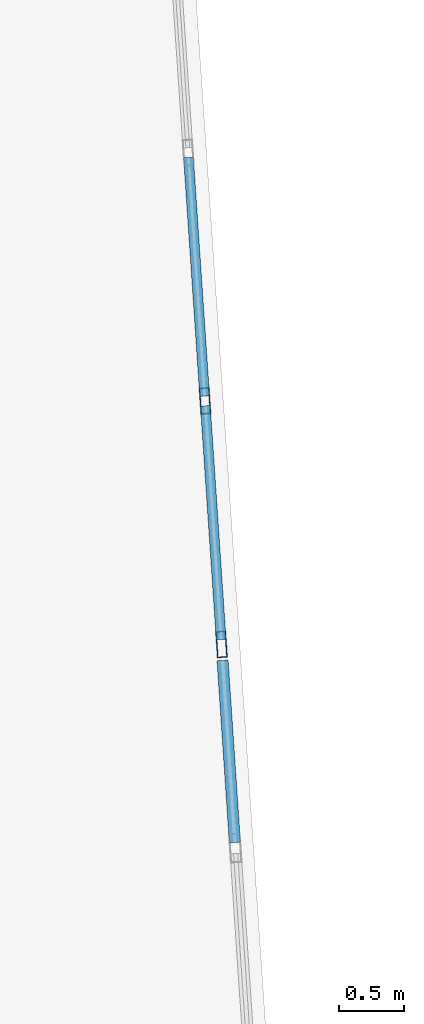
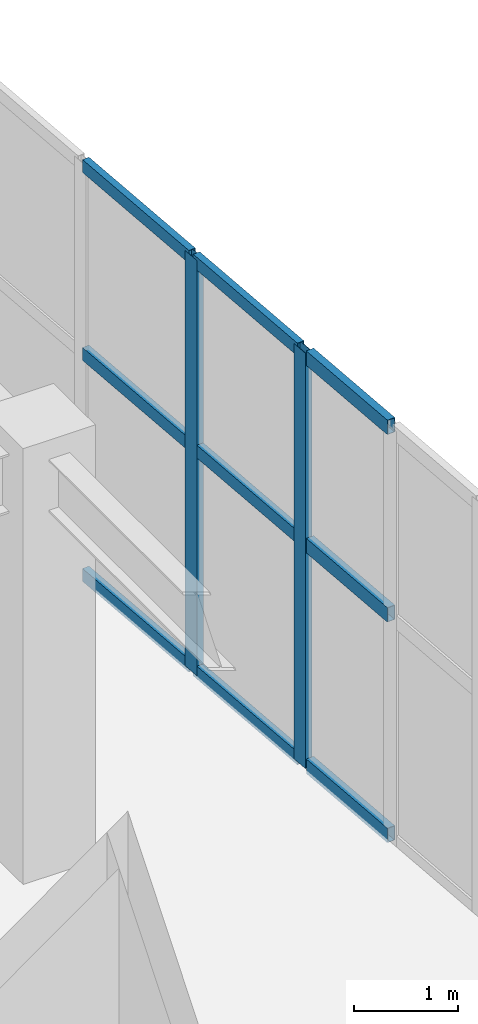
# One storey, part 20 of 128: 11 members, 2 elements without a shape of their own.
"""IFC4 building model written with IfcOpenShell, lengths in metres."""

from ifc_helpers import new_model, si_unit, direction, frame, origin, origin_2d, place, context, subcontext, project, spatial, hollow_rectangle, extrude, material, layer, layer_set, material_profile, profile_set, type_object, element, aggregate, save


model = new_model("IFC4")

# Units and contexts
model_context = context("Model", 3, precision=1e-05, world=origin(), true_north=direction((0.0, 1.0)))
body_context = subcontext(model_context, "Body", "Model", "MODEL_VIEW")
ifc_project = project(units=[si_unit("LENGTHUNIT", "METRE"), si_unit("AREAUNIT", "SQUARE_METRE"), si_unit("VOLUMEUNIT", "CUBIC_METRE"), si_unit("PLANEANGLEUNIT", "RADIAN"), si_unit("MASSUNIT", "GRAM", prefix="KILO")], contexts=[model_context])

# Site, building, storey
site_placement = place(None, origin())
site = spatial("IfcSite", under=ifc_project, at=site_placement, CompositionType="ELEMENT")
building_placement = place(site_placement, origin())
building = spatial("IfcBuilding", under=site, at=building_placement, Name="Xicomal Pleat Aquarium", CompositionType="ELEMENT")
storey_placement = place(building_placement, frame((0.0, 0.0, 5.39990234375)))
storey = spatial("IfcBuildingStorey", under=building, at=storey_placement, Name="L02", CompositionType="ELEMENT", Elevation=5.39990234375)

# Curtain wall, members
ifc_material_1 = material(Name="Bronze anodized aluminium 6063-T6", Category="aluminium")
ifc_layer_1 = layer(ifc_material_1, 0.159912109375)
ifc_layer_set_1 = layer_set([ifc_layer_1], Name="Bronze anodized aluminium 6063-T6")
curtain_wall_type_1 = type_object("IfcCurtainWallType", Name="CW-SYS-07", PredefinedType="NOTDEFINED", material=ifc_layer_set_1)
curtain_wall_1_placement = place(storey_placement, origin())
curtain_wall_1 = element("IfcCurtainWall", 1, at=curtain_wall_1_placement, inside=storey, type_object=curtain_wall_type_1, Name="L02 unitised curtain wall CW-L02-136", PredefinedType="NOTDEFINED")
ifc_material_2 = material(Name="Bronze anodized aluminium 6063-T6", Category="aluminium")
ifc_material_profile_1 = material_profile(ifc_material_2, hollow_rectangle(XDim=0.074951171875, YDim=0.199951171875, WallThickness=0.00439453125, at=origin_2d()), Name="ALU MULL 75x200")
ifc_profile_set_1 = profile_set([ifc_material_profile_1], Name="Bronze anodized aluminium 6063-T6")
member_type_1 = type_object("IfcMemberType", Name="CWM-75x200", PredefinedType="MULLION", material=ifc_profile_set_1)
member_1_placement = place(storey_placement, frame((29.8173828125, 47.490966796875, 0.0), z_axis=(0.0, 0.0, 1.0), x_axis=(0.997711953973, 0.067608112673, 0.0)))
member_1 = element("IfcMember", 2, at=member_1_placement, type_object=member_type_1, Name="CW-07 mullion 4", PredefinedType="MULLION", context=body_context, shape_type="SweptSolid", body=[
    extrude(hollow_rectangle(XDim=0.074951171875, YDim=0.199951171875, WallThickness=0.00439453125, at=origin_2d()), origin(), (0.0, 0.0, 1.0), 4.860107421875),
])
member_2_placement = place(storey_placement, frame((29.943603515625, 45.62841796875, 0.0), z_axis=(0.0, 0.0, 1.0), x_axis=(0.997711953973, 0.067608112673, 0.0)))
member_2 = element("IfcMember", 3, at=member_2_placement, type_object=member_type_1, Name="CW-07 mullion 5", PredefinedType="MULLION", context=body_context, shape_type="SweptSolid", body=[
    extrude(hollow_rectangle(XDim=0.074951171875, YDim=0.199951171875, WallThickness=0.00439453125, at=origin_2d()), origin(), (0.0, 0.0, 1.0), 4.860107421875),
])
ifc_material_3 = material(Name="Bronze anodized aluminium 6063-T6", Category="aluminium")
ifc_material_profile_2 = material_profile(ifc_material_3, hollow_rectangle(XDim=0.074951171875, YDim=0.14990234375, WallThickness=0.00439453125, at=origin_2d()), Name="ALU TRAN 75x150")
ifc_profile_set_2 = profile_set([ifc_material_profile_2], Name="Bronze anodized aluminium 6063-T6")
member_type_2 = type_object("IfcMemberType", Name="CWT-75x150", PredefinedType="USERDEFINED", material=ifc_profile_set_2)
member_3_placement = place(storey_placement, frame((29.69091796875, 49.353515625, 0.03759765625), z_axis=(0.067661600097, -0.997708328056, 0.0), x_axis=(0.997708328056, 0.067661600097, 0.0)))
member_3 = element("IfcMember", 4, at=member_3_placement, type_object=member_type_2, Name="CW-07 transom 3.1", ObjectType="TRANSOM", PredefinedType="USERDEFINED", context=body_context, shape_type="SweptSolid", body=[
    extrude(hollow_rectangle(XDim=0.074951171875, YDim=0.14990234375, WallThickness=0.00439453125, at=origin_2d()), origin(), (0.0, 0.0, 1.0), 1.829345703125),
])
member_4_placement = place(storey_placement, frame((29.69091796875, 49.353515625, 2.6240234375), z_axis=(0.067661600097, -0.997708328056, 0.0), x_axis=(0.997708328056, 0.067661600097, 0.0)))
member_4 = element("IfcMember", 5, at=member_4_placement, type_object=member_type_2, Name="CW-07 transom 3.2", ObjectType="TRANSOM", PredefinedType="USERDEFINED", context=body_context, shape_type="SweptSolid", body=[
    extrude(hollow_rectangle(XDim=0.074951171875, YDim=0.14990234375, WallThickness=0.00439453125, at=origin_2d()), origin(), (0.0, 0.0, 1.0), 1.829345703125),
])
member_5_placement = place(storey_placement, frame((29.69091796875, 49.353515625, 4.822509765625), z_axis=(0.067661600097, -0.997708328056, 0.0), x_axis=(0.997708328056, 0.067661600097, 0.0)))
member_5 = element("IfcMember", 6, at=member_5_placement, type_object=member_type_2, Name="CW-07 transom 3.3", ObjectType="TRANSOM", PredefinedType="USERDEFINED", context=body_context, shape_type="SweptSolid", body=[
    extrude(hollow_rectangle(XDim=0.074951171875, YDim=0.14990234375, WallThickness=0.00439453125, at=origin_2d()), origin(), (0.0, 0.0, 1.0), 1.829345703125),
])
member_6_placement = place(storey_placement, frame((29.81982421875, 47.45361328125, 0.03759765625), z_axis=(0.067576973309, -0.997714063587, 0.0), x_axis=(0.997714063587, 0.067576973309, 0.0)))
member_6 = element("IfcMember", 7, at=member_6_placement, type_object=member_type_2, Name="CW-07 transom 4.1", ObjectType="TRANSOM", PredefinedType="USERDEFINED", context=body_context, shape_type="SweptSolid", body=[
    extrude(hollow_rectangle(XDim=0.074951171875, YDim=0.14990234375, WallThickness=0.00439453125, at=origin_2d()), origin(), (0.0, 0.0, 1.0), 1.7919921875),
])
member_7_placement = place(storey_placement, frame((29.81982421875, 47.45361328125, 2.6240234375), z_axis=(0.067576973309, -0.997714063587, 0.0), x_axis=(0.997714063587, 0.067576973309, 0.0)))
member_7 = element("IfcMember", 8, at=member_7_placement, type_object=member_type_2, Name="CW-07 transom 4.2", ObjectType="TRANSOM", PredefinedType="USERDEFINED", context=body_context, shape_type="SweptSolid", body=[
    extrude(hollow_rectangle(XDim=0.074951171875, YDim=0.14990234375, WallThickness=0.00439453125, at=origin_2d()), origin(), (0.0, 0.0, 1.0), 1.7919921875),
])
member_8_placement = place(storey_placement, frame((29.81982421875, 47.45361328125, 4.822509765625), z_axis=(0.067576973309, -0.997714063587, 0.0), x_axis=(0.997714063587, 0.067576973309, 0.0)))
member_8 = element("IfcMember", 9, at=member_8_placement, type_object=member_type_2, Name="CW-07 transom 4.3", ObjectType="TRANSOM", PredefinedType="USERDEFINED", context=body_context, shape_type="SweptSolid", body=[
    extrude(hollow_rectangle(XDim=0.074951171875, YDim=0.14990234375, WallThickness=0.00439453125, at=origin_2d()), origin(), (0.0, 0.0, 1.0), 1.7919921875),
])
aggregate(curtain_wall_1, [member_1, member_2, member_3, member_4, member_5, member_6, member_7, member_8])

ifc_material_4 = material(Name="Bronze anodized aluminium 6063-T6", Category="aluminium")
ifc_layer_2 = layer(ifc_material_4, 0.159912109375)
ifc_layer_set_2 = layer_set([ifc_layer_2], Name="Bronze anodized aluminium 6063-T6")
curtain_wall_type_2 = type_object("IfcCurtainWallType", Name="CW-SYS-12", PredefinedType="NOTDEFINED", material=ifc_layer_set_2)
curtain_wall_2_placement = place(storey_placement, origin())
curtain_wall_2 = element("IfcCurtainWall", 10, at=curtain_wall_2_placement, inside=storey, type_object=curtain_wall_type_2, Name="L02 unitised curtain wall CW-L02-137", PredefinedType="NOTDEFINED")
ifc_material_5 = material(Name="Bronze anodized aluminium 6063-T6", Category="aluminium")
ifc_material_profile_3 = material_profile(ifc_material_5, hollow_rectangle(XDim=0.0849609375, YDim=0.169921875, WallThickness=0.0048828125, at=origin_2d()), Name="ALU TRAN 85x170")
ifc_profile_set_3 = profile_set([ifc_material_profile_3], Name="Bronze anodized aluminium 6063-T6")
member_type_3 = type_object("IfcMemberType", Name="CWT-85x170", PredefinedType="USERDEFINED", material=ifc_profile_set_3)
member_9_placement = place(storey_placement, frame((29.95166015625, 45.506103515625, 0.04248046875), z_axis=(0.067505607952, -0.997718894727, 0.0), x_axis=(0.997718894727, 0.067505607952, 0.0)))
member_9 = element("IfcMember", 11, at=member_9_placement, type_object=member_type_3, Name="CW-12 transom 1.1", ObjectType="TRANSOM", PredefinedType="USERDEFINED", context=body_context, shape_type="SweptSolid", body=[
    extrude(hollow_rectangle(XDim=0.0849609375, YDim=0.169921875, WallThickness=0.0048828125, at=origin_2d()), origin(), (0.0, 0.0, 1.0), 1.39599609375),
])
member_10_placement = place(storey_placement, frame((29.95166015625, 45.506103515625, 2.6240234375), z_axis=(0.067505607952, -0.997718894727, 0.0), x_axis=(0.997718894727, 0.067505607952, 0.0)))
member_10 = element("IfcMember", 12, at=member_10_placement, type_object=member_type_3, Name="CW-12 transom 1.2", ObjectType="TRANSOM", PredefinedType="USERDEFINED", context=body_context, shape_type="SweptSolid", body=[
    extrude(hollow_rectangle(XDim=0.0849609375, YDim=0.169921875, WallThickness=0.0048828125, at=origin_2d()), origin(), (0.0, 0.0, 1.0), 1.39599609375),
])
member_11_placement = place(storey_placement, frame((29.95166015625, 45.506103515625, 4.817626953125), z_axis=(0.067505607952, -0.997718894727, 0.0), x_axis=(0.997718894727, 0.067505607952, 0.0)))
member_11 = element("IfcMember", 13, at=member_11_placement, type_object=member_type_3, Name="CW-12 transom 1.3", ObjectType="TRANSOM", PredefinedType="USERDEFINED", context=body_context, shape_type="SweptSolid", body=[
    extrude(hollow_rectangle(XDim=0.0849609375, YDim=0.169921875, WallThickness=0.0048828125, at=origin_2d()), origin(), (0.0, 0.0, 1.0), 1.39599609375),
])
aggregate(curtain_wall_2, [member_9, member_10, member_11])

save(model, "model.ifc")
